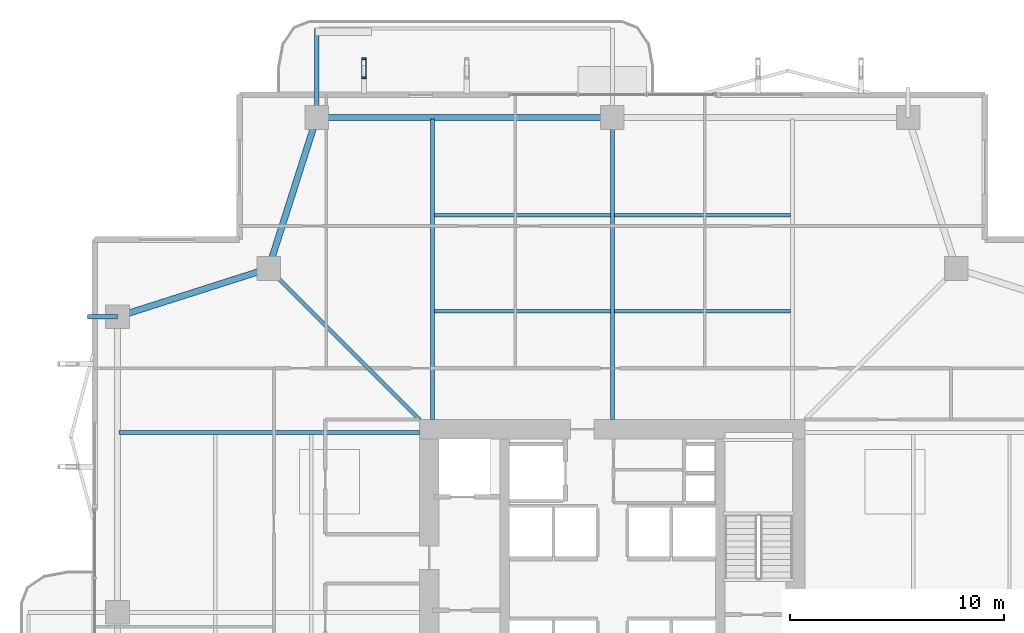
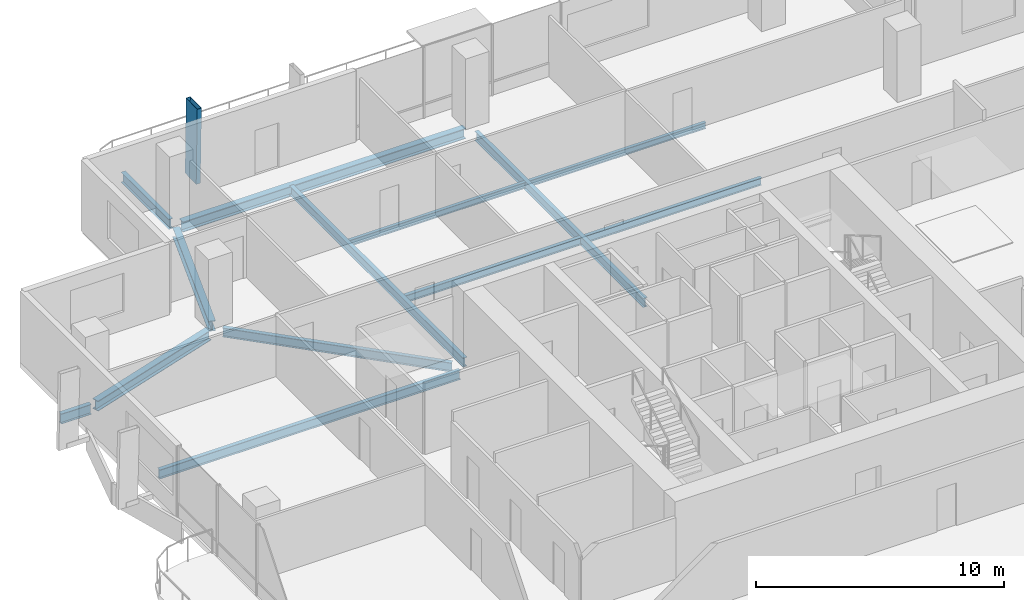
# One storey, part 12 of 25: 13 beams, 1 member.
"""IFC4 building model written with IfcOpenShell, lengths in metres."""

from ifc_helpers import new_model, si_unit, direction, frame, origin, origin_2d, place, context, subcontext, project, spatial, hollow_rectangle, i_section, extrude, material, material_profile, profile_set, type_object, element, save


model = new_model("IFC4")

# Units and contexts
model_context = context("Model", 3, precision=1e-05, world=origin(), true_north=direction((0.0, 1.0)))
body_context = subcontext(model_context, "Body", "Model", "MODEL_VIEW")
ifc_project = project(units=[si_unit("LENGTHUNIT", "METRE"), si_unit("AREAUNIT", "SQUARE_METRE"), si_unit("VOLUMEUNIT", "CUBIC_METRE"), si_unit("PLANEANGLEUNIT", "RADIAN"), si_unit("MASSUNIT", "GRAM", prefix="KILO")], contexts=[model_context])

# Site, building, storey
site_placement = place(None, origin())
site = spatial("IfcSite", under=ifc_project, at=site_placement, CompositionType="ELEMENT")
building_placement = place(site_placement, origin())
building = spatial("IfcBuilding", under=site, at=building_placement, Name="Belovzor Exchange Tower", CompositionType="ELEMENT")
storey_placement = place(building_placement, frame((0.0, 0.0, 164.550048828125)))
storey = spatial("IfcBuildingStorey", under=building, at=storey_placement, Name="L40", CompositionType="ELEMENT", Elevation=164.550048828125)

# Beams
ifc_material_1 = material(Name="Steel S355", Category="steel")
ifc_material_profile_1 = material_profile(ifc_material_1, i_section(OverallWidth=0.199951171875, OverallDepth=0.5, WebThickness=0.01025390625, FlangeThickness=0.01611328125, at=origin_2d()))
ifc_profile_set_1 = profile_set([ifc_material_profile_1], Name="Steel S355")
beam_type_1 = type_object("IfcBeamType", Name="Planted Balcony Cantilever Beam IPE 500", PredefinedType="BEAM", material=ifc_profile_set_1)
beam_1_placement = place(storey_placement, frame((15.0, 52.202880859375, -0.505126953125), z_axis=(0.0, 1.0, 0.0), x_axis=(-1.0, 0.0, 0.0)))
element("IfcBeam", 1, at=beam_1_placement, inside=storey, type_object=beam_type_1, Name="BC-500 Planted Balcony Cantilever Beam IPE 500", PredefinedType="BEAM", context=body_context, shape_type="SweptSolid", body=[
    extrude(i_section(OverallWidth=0.199951171875, OverallDepth=0.5, WebThickness=0.01025390625, FlangeThickness=0.01611328125, at=origin_2d()), origin(), (0.0, 0.0, 1.0), 3.85009765625),
])
beam_2_placement = place(storey_placement, frame((5.699951171875, 42.60009765625, -0.505126953125), z_axis=(-1.0, 0.0, 0.0), x_axis=(0.0, -1.0, 0.0)))
element("IfcBeam", 2, at=beam_2_placement, inside=storey, type_object=beam_type_1, Name="BC-500 Planted Balcony Cantilever Beam IPE 500", PredefinedType="BEAM", context=body_context, shape_type="SweptSolid", body=[
    extrude(i_section(OverallWidth=0.199951171875, OverallDepth=0.5, WebThickness=0.01025390625, FlangeThickness=0.01611328125, at=origin_2d()), origin(), (0.0, 0.0, 1.0), 1.39990234375),
])
ifc_material_2 = material(Name="Steel S355", Category="steel")
ifc_material_profile_2 = material_profile(ifc_material_2, i_section(OverallWidth=0.169921875, OverallDepth=0.360107421875, WebThickness=0.008056640625, FlangeThickness=0.0126953125, at=origin_2d()))
ifc_profile_set_2 = profile_set([ifc_material_profile_2], Name="Steel S355")
beam_type_2 = type_object("IfcBeamType", Name="Secondary Infill Floor Joist IPE 360", PredefinedType="BEAM", material=ifc_profile_set_2)
for number, where, z_axis, x_axis, name in (
    (3, (20.4951171875, 42.84912109375, -0.43505859375), (1.0, 0.0, 0.0), (0.0, 1.0, 0.0), "FJ-360 Secondary Infill Floor Joist IPE 360"),
    (4, (28.89501953125, 42.84912109375, -0.43505859375), (1.0, 0.0, 0.0), (0.0, 1.0, 0.0), "FJ-360 Secondary Infill Floor Joist IPE 360"),
):
    element("IfcBeam", number, at=place(storey_placement, frame(where, z_axis=z_axis, x_axis=x_axis)), inside=storey, type_object=beam_type_2, Name=name, PredefinedType="BEAM", context=body_context, shape_type="SweptSolid", body=[
        extrude(i_section(OverallWidth=0.169921875, OverallDepth=0.360107421875, WebThickness=0.008056640625, FlangeThickness=0.0126953125, at=origin_2d()), origin(), (0.0, 0.0, 1.0), 8.2099609375),
    ])
ifc_material_3 = material(Name="Steel S355", Category="steel")
ifc_material_profile_3 = material_profile(ifc_material_3, i_section(OverallWidth=0.14990234375, OverallDepth=0.300048828125, WebThickness=0.007080078125, FlangeThickness=0.0107421875, at=origin_2d()))
ifc_profile_set_3 = profile_set([ifc_material_profile_3], Name="Steel S355")
beam_type_3 = type_object("IfcBeamType", Name="Secondary Trim Floor Joist IPE 300", PredefinedType="BEAM", material=ifc_profile_set_3)
for number, where, z_axis, x_axis, name in (
    (5, (20.4951171875, 47.3369140625, -0.405029296875), (1.0, 0.0, 0.0), (0.0, 1.0, 0.0), "FJ-300 Secondary Trim Floor Joist IPE 300"),
    (6, (28.89501953125, 47.3369140625, -0.405029296875), (1.0, 0.0, 0.0), (0.0, 1.0, 0.0), "FJ-300 Secondary Trim Floor Joist IPE 300"),
):
    element("IfcBeam", number, at=place(storey_placement, frame(where, z_axis=z_axis, x_axis=x_axis)), inside=storey, type_object=beam_type_3, Name=name, PredefinedType="BEAM", context=body_context, shape_type="SweptSolid", body=[
        extrude(i_section(OverallWidth=0.14990234375, OverallDepth=0.300048828125, WebThickness=0.007080078125, FlangeThickness=0.0107421875, at=origin_2d()), origin(), (0.0, 0.0, 1.0), 8.2099609375),
    ])

# Member
ifc_material_4 = material(Name="Extruded Architectural Terracotta on Steel S355 Carrier", Category="masonry")
ifc_material_profile_4 = material_profile(ifc_material_4, hollow_rectangle(XDim=0.199951171875, YDim=0.89990234375, WallThickness=0.011962890625, at=origin_2d()))
ifc_profile_set_4 = profile_set([ifc_material_profile_4], Name="Extruded Architectural Terracotta on Steel S355 Carrier")
member_type = type_object("IfcMemberType", Name="Sweeping Terracotta Baguette Fin Assembly 1250", PredefinedType="USERDEFINED", material=ifc_profile_set_4)
member_placement = place(storey_placement, frame((17.199951171875, 54.2470703125, -0.255126953125), z_axis=(0.0, -0.023235912336, 0.999730009742), x_axis=(1.0, 0.0, 0.0)))
element("IfcMember", 7, at=member_placement, inside=storey, type_object=member_type, Name="FIN-TC125 Terracotta Facade Fin L40 N1", ObjectType="FIN", PredefinedType="USERDEFINED", context=body_context, shape_type="SweptSolid", body=[
    extrude(hollow_rectangle(XDim=0.199951171875, YDim=0.89990234375, WallThickness=0.011962890625, at=origin_2d()), origin(), (0.0, 0.0, 1.0), 3.7509765625),
])

# Beams
ifc_material_5 = material(Name="Steel S355", Category="steel")
ifc_material_profile_5 = material_profile(ifc_material_5, i_section(OverallWidth=0.18994140625, OverallDepth=0.449951171875, WebThickness=0.009521484375, FlangeThickness=0.0146484375, at=origin_2d()))
ifc_profile_set_5 = profile_set([ifc_material_profile_5], Name="Steel S355")
beam_type_4 = type_object("IfcBeamType", Name="Zone 2-4 Radial Composite Floor Beam IPE 450", PredefinedType="BEAM", material=ifc_profile_set_5)
beam_3_placement = place(storey_placement, frame((20.39990234375, 37.800048828125, -0.47998046875), z_axis=(0.0, 1.0, 0.0), x_axis=(-1.0, 0.0, 0.0)))
element("IfcBeam", 8, at=beam_3_placement, inside=storey, type_object=beam_type_4, Name="FB-450 Zone 2-4 Radial Composite Floor Beam IPE 450", PredefinedType="BEAM", context=body_context, shape_type="SweptSolid", body=[
    extrude(i_section(OverallWidth=0.18994140625, OverallDepth=0.449951171875, WebThickness=0.009521484375, FlangeThickness=0.0146484375, at=origin_2d()), origin(), (0.0, 0.0, 1.0), 14.02490234375),
])
beam_4_placement = place(storey_placement, frame((28.800048828125, 37.800048828125, -0.47998046875), z_axis=(0.0, 1.0, 0.0), x_axis=(-1.0, 0.0, 0.0)))
element("IfcBeam", 9, at=beam_4_placement, inside=storey, type_object=beam_type_4, Name="FB-450 Zone 2-4 Radial Composite Floor Beam IPE 450", PredefinedType="BEAM", context=body_context, shape_type="SweptSolid", body=[
    extrude(i_section(OverallWidth=0.18994140625, OverallDepth=0.449951171875, WebThickness=0.009521484375, FlangeThickness=0.0146484375, at=origin_2d()), origin(), (0.0, 0.0, 1.0), 13.615966796875),
])
beam_5_placement = place(storey_placement, frame((19.800048828125, 37.199951171875, -0.47998046875), z_axis=(-1.0, 0.0, 0.0), x_axis=(0.0, -1.0, 0.0)))
element("IfcBeam", 10, at=beam_5_placement, inside=storey, type_object=beam_type_4, Name="FB-450 Zone 2-4 Radial Composite Floor Beam IPE 450", PredefinedType="BEAM", context=body_context, shape_type="SweptSolid", body=[
    extrude(i_section(OverallWidth=0.18994140625, OverallDepth=0.449951171875, WebThickness=0.009521484375, FlangeThickness=0.0146484375, at=origin_2d()), origin(), (0.0, 0.0, 1.0), 14.025146484375),
])
beam_6_placement = place(storey_placement, frame((19.800048828125, 37.800048828125, -0.47998046875), z_axis=(-0.707119521505, 0.707094040639, 0.0), x_axis=(-0.707094040639, -0.707119521505, 0.0)))
element("IfcBeam", 11, at=beam_6_placement, inside=storey, type_object=beam_type_4, Name="FB-450 Zone 2-4 Radial Composite Floor Beam IPE 450", PredefinedType="BEAM", context=body_context, shape_type="SweptSolid", body=[
    extrude(i_section(OverallWidth=0.18994140625, OverallDepth=0.449951171875, WebThickness=0.009521484375, FlangeThickness=0.0146484375, at=origin_2d()), origin(), (0.0, 0.0, 1.0), 9.581298828125),
])
ifc_material_6 = material(Name="Steel S355", Category="steel")
ifc_material_profile_6 = material_profile(ifc_material_6, i_section(OverallWidth=0.300048828125, OverallDepth=0.5, WebThickness=0.014404296875, FlangeThickness=0.028076171875, at=origin_2d()))
ifc_profile_set_6 = profile_set([ifc_material_profile_6], Name="Steel S355")
beam_type_5 = type_object("IfcBeamType", Name="Zone 3 Waist Primary Girder HEB 500", PredefinedType="BEAM", material=ifc_profile_set_6)
beam_7_placement = place(storey_placement, frame((28.498046875, 51.89990234375, -0.505126953125), z_axis=(-1.0, 0.0, 0.0), x_axis=(0.0, -1.0, 0.0)))
element("IfcBeam", 12, at=beam_7_placement, inside=storey, type_object=beam_type_5, Name="FG-Z3 Zone 3 Waist Primary Girder HEB 500", PredefinedType="BEAM", context=body_context, shape_type="SweptSolid", body=[
    extrude(i_section(OverallWidth=0.300048828125, OverallDepth=0.5, WebThickness=0.014404296875, FlangeThickness=0.028076171875, at=origin_2d()), origin(), (0.0, 0.0, 1.0), 13.195068359375),
])
for number, where, z_axis, x_axis, name in (
    (13, (14.907958984375, 51.612060546875, -0.505126953125), (-0.304001325621, -0.952671608699, 0.0), (0.952671608699, -0.304001325621, 0.0), "FG-Z3 Zone 3 Waist Primary Girder HEB 500"),
    (14, (12.4619140625, 44.758056640625, -0.505126953125), (-0.952657882792, -0.304044336164, 0.0), (0.304044336164, -0.952657882792, 0.0), "FG-Z3 Zone 3 Waist Primary Girder HEB 500"),
):
    element("IfcBeam", number, at=place(storey_placement, frame(where, z_axis=z_axis, x_axis=x_axis)), inside=storey, type_object=beam_type_5, Name=name, PredefinedType="BEAM", context=body_context, shape_type="SweptSolid", body=[
        extrude(i_section(OverallWidth=0.300048828125, OverallDepth=0.5, WebThickness=0.014404296875, FlangeThickness=0.028076171875, at=origin_2d()), origin(), (0.0, 0.0, 1.0), 6.795654296875),
    ])

save(model, "model.ifc")
